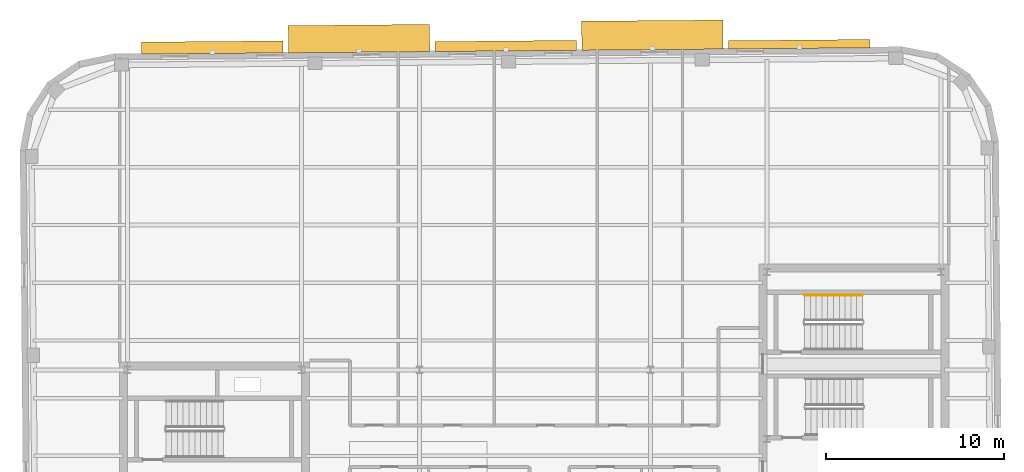
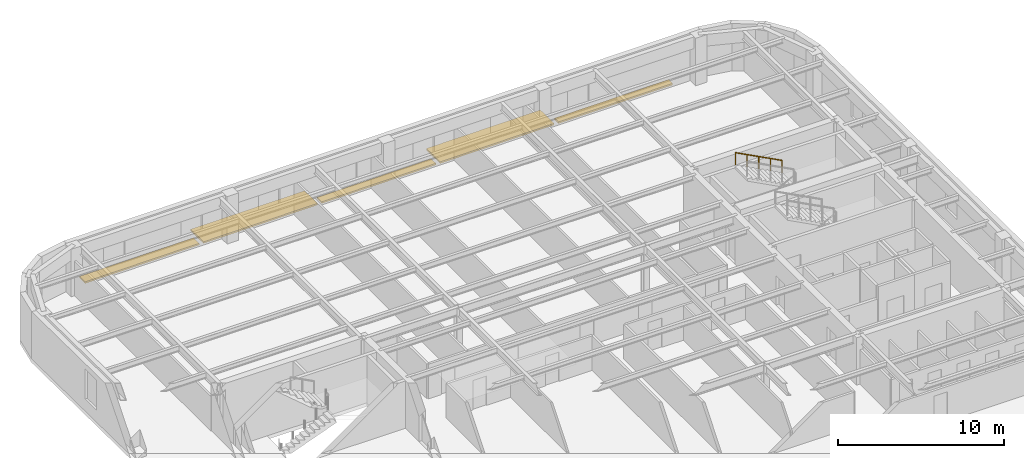
# One storey, part 13 of 13: 5 shading devices, 1 railing.
"""IFC4 building model written with IfcOpenShell, lengths in metres."""

from ifc_helpers import new_model, si_unit, direction, frame, origin, origin_2d, place, context, subcontext, project, spatial, rectangle, circle, extrude, material, type_object, element, save


model = new_model("IFC4")

# Units and contexts
model_context = context("Model", 3, precision=1e-05, world=origin(), true_north=direction((0.0, 1.0)))
body_context = subcontext(model_context, "Body", "Model", "MODEL_VIEW")
ifc_project = project(units=[si_unit("LENGTHUNIT", "METRE"), si_unit("AREAUNIT", "SQUARE_METRE"), si_unit("VOLUMEUNIT", "CUBIC_METRE"), si_unit("PLANEANGLEUNIT", "RADIAN"), si_unit("MASSUNIT", "GRAM", prefix="KILO")], contexts=[model_context])

# Site, building, storey
site_placement = place(None, origin())
site = spatial("IfcSite", under=ifc_project, at=site_placement, CompositionType="ELEMENT")
building_placement = place(site_placement, origin())
building = spatial("IfcBuilding", under=site, at=building_placement, Name="Kolvaren Arena Tower", CompositionType="ELEMENT")
storey_placement = place(building_placement, frame((0.0, 0.0, 301.14990234375)))
storey = spatial("IfcBuildingStorey", under=building, at=storey_placement, Name="L74", CompositionType="ELEMENT", Elevation=301.14990234375)

# Railing
ifc_material_1 = material(Name="Brushed stainless steel handrail", Category="steel")
railing_type = type_object("IfcRailingType", Name="HRAIL-900", PredefinedType="HANDRAIL", material=ifc_material_1)
railing_placement = place(storey_placement, frame((55.919921875, 38.050048828125, 2.045654296875)))
element("IfcRailing", 1, at=railing_placement, inside=storey, type_object=railing_type, Name="L74 ST-E2 stair handrail 2", PredefinedType="HANDRAIL", context=body_context, shape_type="SweptSolid", body=[
    extrude(circle(Radius=0.02392578125, at=origin_2d()), frame((0.0, 0.0, 0.8759765625), z_axis=(-0.885020909582, 0.0, 0.465551274945), x_axis=(0.0, -1.0, 0.0)), (0.0, 0.0, 1.0), 3.660888671875),
    extrude(circle(Radius=0.02099609375, at=origin_2d()), origin(), (0.0, 0.0, 1.0), 0.851806640625),
    extrude(circle(Radius=0.02099609375, at=origin_2d()), frame((-0.81005859375, 0.0, 0.426025390625)), (0.0, 0.0, 1.0), 0.851806640625),
    extrude(circle(Radius=0.02099609375, at=origin_2d()), frame((-1.6201171875, 0.0, 0.85205078125)), (0.0, 0.0, 1.0), 0.851806640625),
    extrude(circle(Radius=0.02099609375, at=origin_2d()), frame((-2.429931640625, 0.0, 1.2783203125)), (0.0, 0.0, 1.0), 0.851806640625),
    extrude(circle(Radius=0.02099609375, at=origin_2d()), frame((-3.239990234375, 0.0, 1.704345703125)), (0.0, 0.0, 1.0), 0.851806640625),
])

# Shading devices
ifc_material_2 = material(Name="Architectural precast GFRC and anodised aluminium sunshade", Category="concrete")
shading_device_type_1 = type_object("IfcShadingDeviceType", Name="SHAD-SINE-A", PredefinedType="USERDEFINED", material=ifc_material_2)
shading_device_1_placement = place(storey_placement, frame((19.331298828125, 51.9921875, -0.139892578125), z_axis=(0.0, 0.0, 1.0), x_axis=(0.999961923064, 0.008726535498, 0.0)))
element("IfcShadingDevice", 2, at=shading_device_1_placement, inside=storey, type_object=shading_device_type_1, Name="Sinusoidal Slab-Edge Sunshade Louvre (L74)", ObjectType="LOUVRE", PredefinedType="USERDEFINED", context=body_context, shape_type="SweptSolid", body=[
    extrude(rectangle(XDim=7.9599609375, YDim=0.677001953125, at=origin_2d()), origin(), (0.0, 0.0, 1.0), 0.1201171875),
])
shading_device_2_placement = place(storey_placement, frame((35.851318359375, 52.078857421875, -0.139892578125), z_axis=(0.0, 0.0, 1.0), x_axis=(0.999961923064, 0.008726535498, 0.0)))
element("IfcShadingDevice", 3, at=shading_device_2_placement, inside=storey, type_object=shading_device_type_1, Name="Sinusoidal Slab-Edge Sunshade Louvre (L74)", ObjectType="LOUVRE", PredefinedType="USERDEFINED", context=body_context, shape_type="SweptSolid", body=[
    extrude(rectangle(XDim=7.9599609375, YDim=0.562255859375, at=origin_2d()), origin(), (0.0, 0.0, 1.0), 0.1201171875),
])
shading_device_3_placement = place(storey_placement, frame((52.37109375, 52.176513671875, -0.139892578125), z_axis=(0.0, 0.0, 1.0), x_axis=(0.999961923064, 0.008726535498, 0.0)))
element("IfcShadingDevice", 4, at=shading_device_3_placement, inside=storey, type_object=shading_device_type_1, Name="Sinusoidal Slab-Edge Sunshade Louvre (L74)", ObjectType="LOUVRE", PredefinedType="USERDEFINED", context=body_context, shape_type="SweptSolid", body=[
    extrude(rectangle(XDim=7.9599609375, YDim=0.468994140625, at=origin_2d()), origin(), (0.0, 0.0, 1.0), 0.1201171875),
])
shading_device_type_2 = type_object("IfcShadingDeviceType", Name="SHAD-SINE-B", PredefinedType="JALOUSIE", material=ifc_material_2)
shading_device_4_placement = place(storey_placement, frame((27.58740234375, 52.491943359375, -0.139892578125), z_axis=(0.0, 0.0, 1.0), x_axis=(0.999961923064, 0.008726535498, 0.0)))
element("IfcShadingDevice", 5, at=shading_device_4_placement, inside=storey, type_object=shading_device_type_2, Name="Sinusoidal Slab-Edge Sunshade Louvre (L74)", PredefinedType="JALOUSIE", context=body_context, shape_type="SweptSolid", body=[
    extrude(rectangle(XDim=7.9599609375, YDim=1.53271484375, at=origin_2d()), origin(), (0.0, 0.0, 1.0), 0.1201171875),
])
shading_device_5_placement = place(storey_placement, frame((44.106201171875, 52.6884765625, -0.139892578125), z_axis=(0.0, 0.0, 1.0), x_axis=(0.999961923064, 0.008726535498, 0.0)))
element("IfcShadingDevice", 6, at=shading_device_5_placement, inside=storey, type_object=shading_device_type_2, Name="Sinusoidal Slab-Edge Sunshade Louvre (L74)", PredefinedType="JALOUSIE", context=body_context, shape_type="SweptSolid", body=[
    extrude(rectangle(XDim=7.9599609375, YDim=1.63720703125, at=origin_2d()), origin(), (0.0, 0.0, 1.0), 0.1201171875),
])

save(model, "model.ifc")
